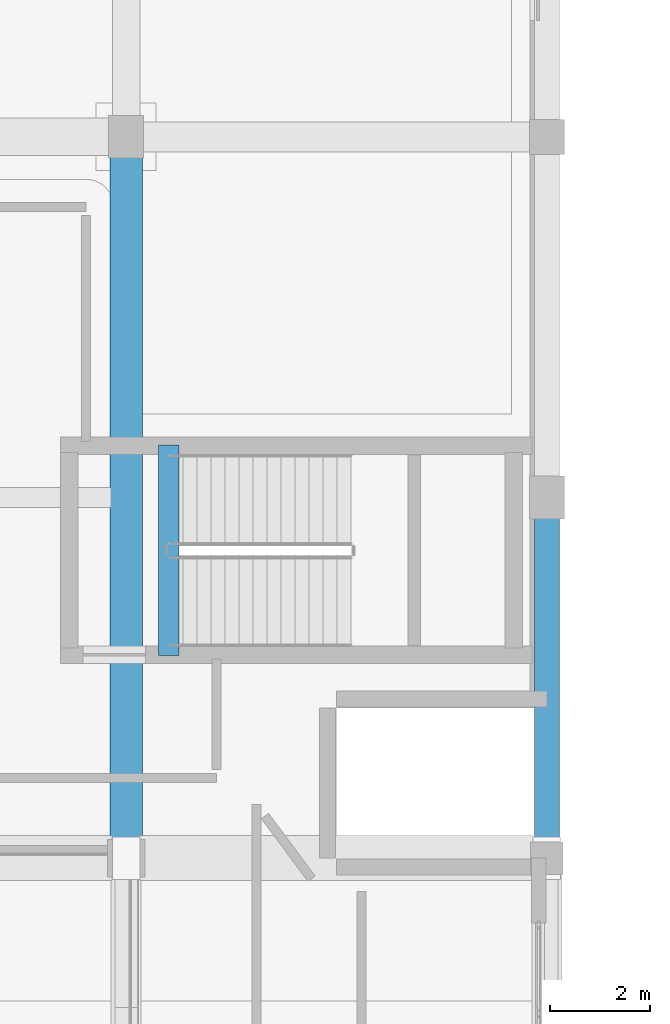
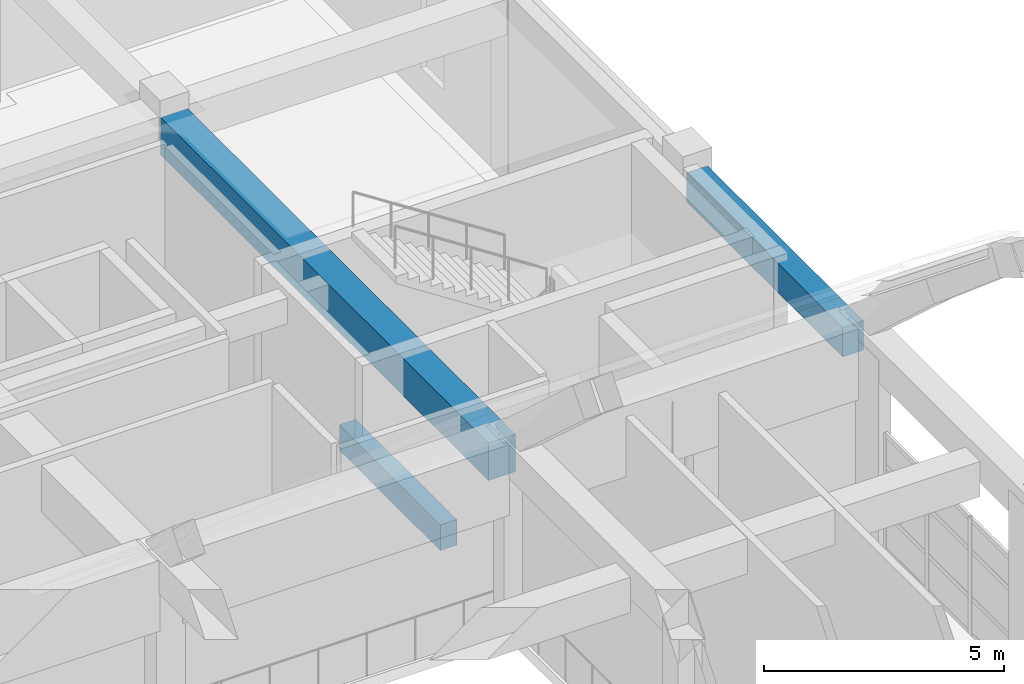
# One storey, part 56 of 103: 3 beams.
"""IFC4 building model written with IfcOpenShell, lengths in metres."""

from ifc_helpers import new_model, si_unit, direction, frame, origin, origin_2d, place, context, subcontext, project, spatial, rectangle, extrude, material, material_profile, profile_set, type_object, element, save


model = new_model("IFC4")

# Units and contexts
model_context = context("Model", 3, precision=1e-05, world=origin(), true_north=direction((0.0, 1.0)))
body_context = subcontext(model_context, "Body", "Model", "MODEL_VIEW")
ifc_project = project(units=[si_unit("LENGTHUNIT", "METRE"), si_unit("AREAUNIT", "SQUARE_METRE"), si_unit("VOLUMEUNIT", "CUBIC_METRE"), si_unit("PLANEANGLEUNIT", "RADIAN"), si_unit("MASSUNIT", "GRAM", prefix="KILO")], contexts=[model_context])

# Site, building, storey
site_placement = place(None, origin())
site = spatial("IfcSite", under=ifc_project, at=site_placement, CompositionType="ELEMENT")
building_placement = place(site_placement, origin())
building = spatial("IfcBuilding", under=site, at=building_placement, Name="Quendrovan Civic Courthouse", CompositionType="ELEMENT")
storey_placement = place(building_placement, frame((0.0, 0.0, 15.300048828125)))
storey = spatial("IfcBuildingStorey", under=building, at=storey_placement, Name="L04", CompositionType="ELEMENT", Elevation=15.300048828125)

# Beams
ifc_material_1 = material(Name="Post-tensioned concrete C50/60", Category="concrete")
ifc_material_profile_1 = material_profile(ifc_material_1, rectangle(XDim=0.64990234375, YDim=0.949951171875, at=origin_2d()), Name="PT-GIRD-650x950")
ifc_profile_set_1 = profile_set([ifc_material_profile_1], Name="Post-tensioned concrete C50/60")
beam_type_1 = type_object("IfcBeamType", Name="BM-PT950", PredefinedType="BEAM", material=ifc_profile_set_1)
beam_1_placement = place(storey_placement, frame((84.0, 87.955078125, 4.18505859375), z_axis=(0.0, 1.0, 0.0), x_axis=(-1.0, 0.0, 0.0)))
element("IfcBeam", 1, at=beam_1_placement, inside=storey, type_object=beam_type_1, Name="L04 Girder Y0981", PredefinedType="BEAM", context=body_context, shape_type="SweptSolid", body=[
    extrude(rectangle(XDim=0.64990234375, YDim=0.949951171875, at=origin_2d()), origin(), (0.0, 0.0, 1.0), 13.639892578125),
])
ifc_material_2 = material(Name="Concrete C40/50", Category="concrete")
ifc_material_profile_2 = material_profile(ifc_material_2, rectangle(XDim=0.39990234375, YDim=0.64990234375, at=origin_2d()), Name="RC-BM-400x650")
ifc_profile_set_2 = profile_set([ifc_material_profile_2], Name="Concrete C40/50")
beam_type_2 = type_object("IfcBeamType", Name="BM-RC650", PredefinedType="JOIST", material=ifc_profile_set_2)
beam_2_placement = place(storey_placement, frame((84.85009765625, 91.64990234375, -0.324951171875), z_axis=(0.0, 1.0, 0.0), x_axis=(-1.0, 0.0, 0.0)))
element("IfcBeam", 2, at=beam_2_placement, inside=storey, type_object=beam_type_2, Name="L04 Stair ST3 Landing Trimmer Beam", PredefinedType="JOIST", context=body_context, shape_type="SweptSolid", body=[
    extrude(rectangle(XDim=0.39990234375, YDim=0.64990234375, at=origin_2d()), origin(), (0.0, 0.0, 1.0), 4.2001953125),
])
ifc_material_profile_3 = material_profile(ifc_material_2, rectangle(XDim=0.5, YDim=0.75, at=origin_2d()), Name="RC-BM-500x750")
ifc_profile_set_3 = profile_set([ifc_material_profile_3], Name="Concrete C40/50")
beam_type_3 = type_object("IfcBeamType", Name="BM-RC750", PredefinedType="SPANDREL", material=ifc_profile_set_3)
beam_3_placement = place(storey_placement, frame((92.39990234375, 87.905029296875, 4.284912109375), z_axis=(0.0, 1.0, 0.0), x_axis=(-1.0, 0.0, 0.0)))
element("IfcBeam", 3, at=beam_3_placement, inside=storey, type_object=beam_type_3, Name="L04 Girder Y0983", PredefinedType="SPANDREL", context=body_context, shape_type="SweptSolid", body=[
    extrude(rectangle(XDim=0.5, YDim=0.75, at=origin_2d()), origin(), (0.0, 0.0, 1.0), 6.489990234375),
])

save(model, "model.ifc")
